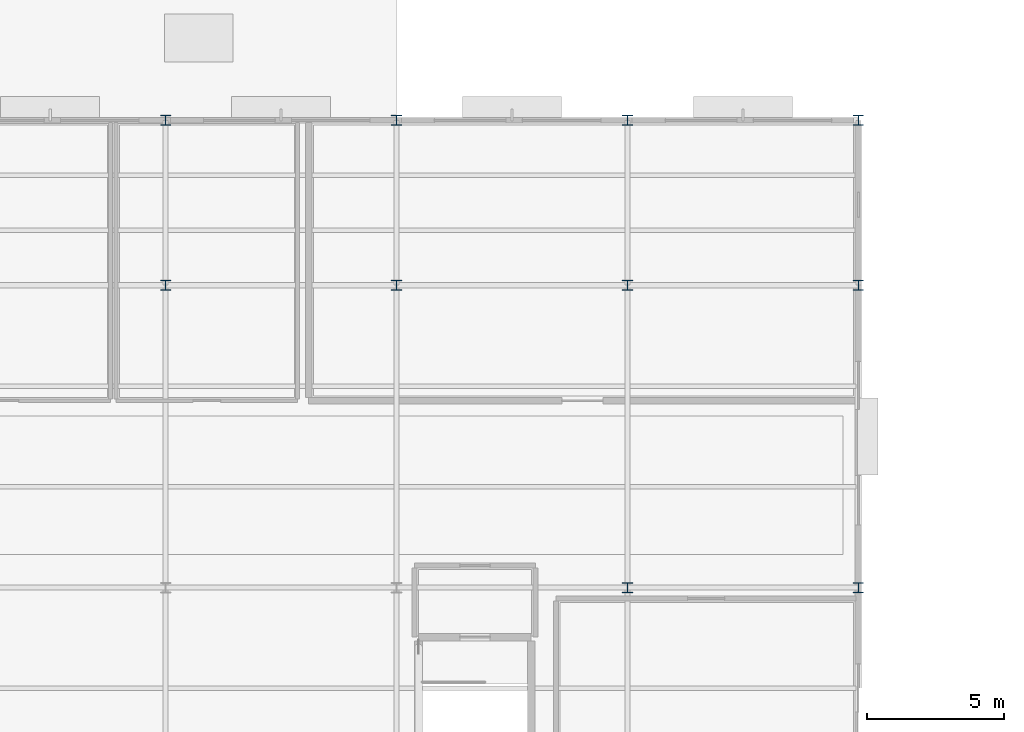
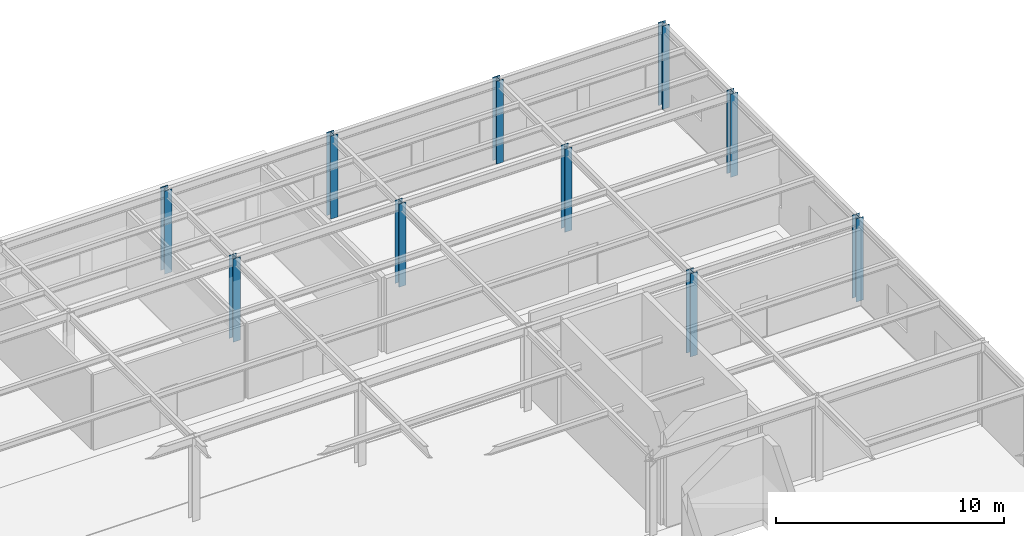
# One storey, part 15 of 82: 10 columns.
"""IFC4 building model written with IfcOpenShell, lengths in metres."""

from ifc_helpers import new_model, si_unit, direction, frame, origin, origin_2d, place, context, subcontext, project, spatial, i_section, extrude, material, material_profile, profile_set, type_object, element, save


model = new_model("IFC4")

# Units and contexts
model_context = context("Model", 3, precision=1e-05, world=origin(), true_north=direction((0.0, 1.0)))
body_context = subcontext(model_context, "Body", "Model", "MODEL_VIEW")
ifc_project = project(units=[si_unit("LENGTHUNIT", "METRE"), si_unit("AREAUNIT", "SQUARE_METRE"), si_unit("VOLUMEUNIT", "CUBIC_METRE"), si_unit("PLANEANGLEUNIT", "RADIAN"), si_unit("MASSUNIT", "GRAM", prefix="KILO")], contexts=[model_context])

# Site, building, storey
site_placement = place(None, origin())
site = spatial("IfcSite", under=ifc_project, at=site_placement, CompositionType="ELEMENT")
building_placement = place(site_placement, origin())
building = spatial("IfcBuilding", under=site, at=building_placement, Name="Sitalva Quay Ferry Terminal", CompositionType="ELEMENT")
storey_placement = place(building_placement, frame((0.0, 0.0, 5.39990234375)))
storey = spatial("IfcBuildingStorey", under=building, at=storey_placement, Name="L02", CompositionType="ELEMENT", Elevation=5.39990234375)

# Columns
ifc_material = material(Name="Structural Steel S355JR", Category="steel")
ifc_material_profile = material_profile(ifc_material, i_section(OverallWidth=0.368896484375, OverallDepth=0.35595703125, WebThickness=0.01123046875, FlangeThickness=0.01806640625, FilletRadius=0.014892578125, at=origin_2d()), Name="W360x134")
ifc_profile_set = profile_set([ifc_material_profile], Name="Structural Steel S355JR")
column_type = type_object("IfcColumnType", Name="Col_W360x134", PredefinedType="COLUMN", material=ifc_profile_set)
for number, where, z_axis, x_axis, name in (
    (1, (159.60009765625, 89.0, 0.0), (0.0, 0.0, 1.0), (1.0, 0.0, 0.0), "L02 column 20K"),
    (2, (168.0, 89.0, 0.0), (0.0, 0.0, 1.0), (1.0, 0.0, 0.0), "L02 column 21K"),
    (3, (142.800048828125, 100.0, 0.0), (0.0, 0.0, 1.0), (1.0, 0.0, 0.0), "L02 column 18L"),
    (4, (151.199951171875, 100.0, 0.0), (0.0, 0.0, 1.0), (1.0, 0.0, 0.0), "L02 column 19L"),
    (5, (159.60009765625, 100.0, 0.0), (0.0, 0.0, 1.0), (1.0, 0.0, 0.0), "L02 column 20L"),
    (6, (168.0, 100.0, 0.0), (0.0, 0.0, 1.0), (1.0, 0.0, 0.0), "L02 column 21L"),
    (7, (142.800048828125, 106.0, 0.0), (0.0, 0.0, 1.0), (1.0, 0.0, 0.0), "L02 column 18M"),
    (8, (151.199951171875, 106.0, 0.0), (0.0, 0.0, 1.0), (1.0, 0.0, 0.0), "L02 column 19M"),
    (9, (159.60009765625, 106.0, 0.0), (0.0, 0.0, 1.0), (1.0, 0.0, 0.0), "L02 column 20M"),
    (10, (168.0, 106.0, 0.0), (0.0, 0.0, 1.0), (1.0, 0.0, 0.0), "L02 column 21M"),
):
    element("IfcColumn", number, at=place(storey_placement, frame(where, z_axis=z_axis, x_axis=x_axis)), inside=storey, type_object=column_type, Name=name, PredefinedType="COLUMN", context=body_context, shape_type="SweptSolid", body=[
        extrude(i_section(OverallWidth=0.368896484375, OverallDepth=0.35595703125, WebThickness=0.01123046875, FlangeThickness=0.01806640625, FilletRadius=0.014892578125, at=origin_2d()), origin(), (0.0, 0.0, 1.0), 4.4501953125),
    ])

save(model, "model.ifc")
